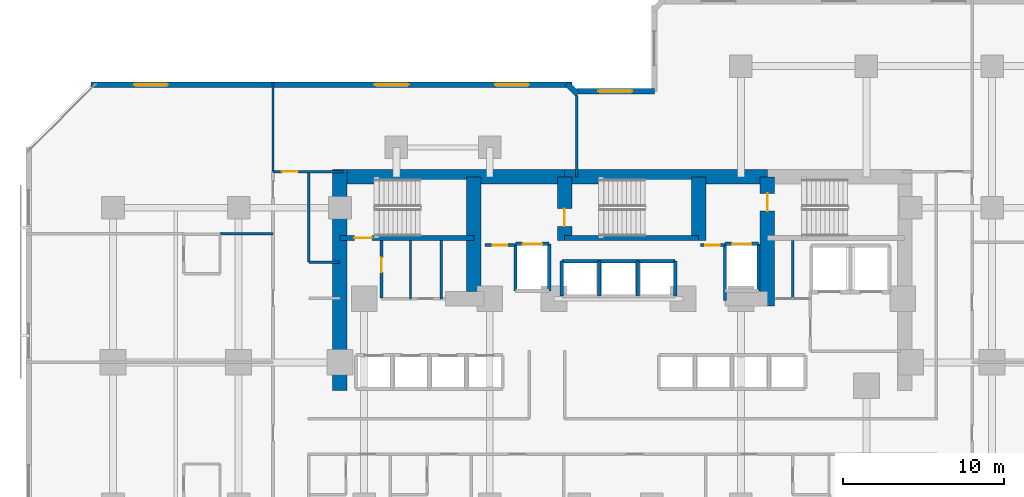
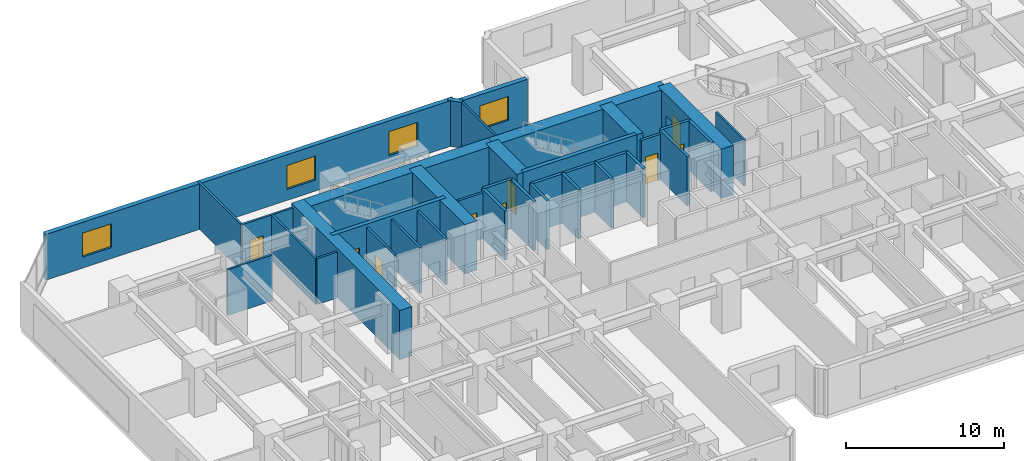
# One storey, part 8 of 12: 37 walls, 9 doors, 4 windows, 13 openings.
"""IFC4 building model written with IfcOpenShell, lengths in metres."""

from ifc_helpers import new_model, si_unit, direction, frame, frame_2d, origin, place, context, subcontext, project, spatial, rectangle, extrude, material, layer, layer_set, type_object, element, fill, save


model = new_model("IFC4")

# Units and contexts
model_context = context("Model", 3, precision=1e-05, world=origin(), true_north=direction((0.0, 1.0)))
body_context = subcontext(model_context, "Body", "Model", "MODEL_VIEW")
ifc_project = project(units=[si_unit("LENGTHUNIT", "METRE"), si_unit("AREAUNIT", "SQUARE_METRE"), si_unit("VOLUMEUNIT", "CUBIC_METRE"), si_unit("PLANEANGLEUNIT", "RADIAN"), si_unit("MASSUNIT", "GRAM", prefix="KILO")], contexts=[model_context])

# Site, building, storey
site_placement = place(None, origin())
site = spatial("IfcSite", under=ifc_project, at=site_placement, CompositionType="ELEMENT")
building_placement = place(site_placement, origin())
building = spatial("IfcBuilding", under=site, at=building_placement, Name="Kestravale Grand Hotel", CompositionType="ELEMENT")
storey_placement = place(building_placement, frame((0.0, 0.0, 56.39990234375)))
storey = spatial("IfcBuildingStorey", under=building, at=storey_placement, Name="L13", CompositionType="ELEMENT", Elevation=56.39990234375)

# Walls
ifc_material_1 = material(Name="Concrete f'c 70 MPa", Category="concrete")
ifc_layer_1 = layer(ifc_material_1, 0.89990234375)
ifc_layer_set_1 = layer_set([ifc_layer_1], Name="EW-CORE-900")
wall_type_1 = type_object("IfcWallType", Name="EW-CORE-900", PredefinedType="SHEAR", material=ifc_layer_set_1)
wall_1_placement = place(storey_placement, frame((21.449951171875, 40.320068359375, 0.0), z_axis=(0.0, 0.0, 1.0), x_axis=(1.0, 0.0, 0.0)))
element("IfcWall", 1, at=wall_1_placement, inside=storey, type_object=wall_type_1, Name="L13 core shear wall N1", PredefinedType="SHEAR", context=body_context, shape_type="SweptSolid", body=[
    extrude(rectangle(XDim=14.400146484375, YDim=0.89990234375, at=frame_2d((7.2001953125, 0.0))), origin(), (0.0, 0.0, 1.0), 3.800048828125),
])
wall_2_placement = place(storey_placement, frame((35.85009765625, 40.320068359375, 0.0), z_axis=(0.0, 0.0, 1.0), x_axis=(1.0, 0.0, 0.0)))
element("IfcWall", 2, at=wall_2_placement, inside=storey, type_object=wall_type_1, Name="L13 core shear wall N2", PredefinedType="SHEAR", context=body_context, shape_type="SweptSolid", body=[
    extrude(rectangle(XDim=12.599853515625, YDim=0.89990234375, at=frame_2d((6.2998046875, 0.0))), origin(), (0.0, 0.0, 1.0), 3.800048828125),
])
wall_3_placement = place(storey_placement, frame((21.89990234375, 27.050048828125, 0.0), z_axis=(0.0, 0.0, 1.0), x_axis=(0.0, 1.0, 0.0)))
element("IfcWall", 3, at=wall_3_placement, inside=storey, type_object=wall_type_1, Name="L13 core shear wall W1", PredefinedType="SHEAR", context=body_context, shape_type="SweptSolid", body=[
    extrude(rectangle(XDim=13.719970703125, YDim=0.89990234375, at=frame_2d((6.85986328125, 0.0))), origin(), (0.0, 0.0, 1.0), 3.800048828125),
])
wall_4_placement = place(storey_placement, frame((30.219970703125, 33.199951171875, 0.0), z_axis=(0.0, 0.0, 1.0), x_axis=(0.0, 1.0, 0.0)))
element("IfcWall", 4, at=wall_4_placement, inside=storey, type_object=wall_type_1, Name="L13 core shear wall X1", PredefinedType="SHEAR", context=body_context, shape_type="SweptSolid", body=[
    extrude(rectangle(XDim=7.1201171875, YDim=0.89990234375, at=frame_2d((3.56005859375, 0.0))), origin(), (0.0, 0.0, 1.0), 3.800048828125),
])

# Wall, opening, door
wall_5_placement = place(storey_placement, frame((35.85009765625, 36.3701171875, 0.0), z_axis=(0.0, 0.0, 1.0), x_axis=(0.0, 1.0, 0.0)))
wall_5 = element("IfcWall", 5, at=wall_5_placement, inside=storey, type_object=wall_type_1, Name="L13 core shear wall X2", PredefinedType="SHEAR", context=body_context, shape_type="SweptSolid", body=[
    extrude(rectangle(XDim=3.949951171875, YDim=0.89990234375, at=frame_2d((1.97509765625, 0.0))), origin(), (0.0, 0.0, 1.0), 3.800048828125),
])
opening_1_placement = place(wall_5_placement, frame((0.8798828125, 0.0, 0.0)))
opening_1 = element("IfcOpeningElement", 6, at=opening_1_placement, cuts=wall_5, Name="Opening D-ST-1100", PredefinedType="OPENING", context=body_context, shape_type="SweptSolid", body=[
    extrude(rectangle(XDim=1.10009765625, YDim=2.14990234375, at=frame_2d((0.550048828125, 1.074951171875))), frame((0.0, 0.4599609375, 0.0), z_axis=(0.0, -1.0, 0.0), x_axis=(1.0, 0.0, 0.0)), (0.0, 0.0, 1.0), 0.919921875),
])
ifc_material_2 = material(Name="Galvanised 90-minute fire-rated steel stair door", Category="steel")
door_type_1 = type_object("IfcDoorType", Name="D-ST-1100", OperationType="NOTDEFINED", PredefinedType="DOOR", material=ifc_material_2)
door_1_placement = place(opening_1_placement, origin())
door_1 = element("IfcDoor", 7, at=door_1_placement, inside=storey, type_object=door_type_1, Name="L13 Stair ST-2 FSAE fire door", OperationType="SINGLE_SWING_RIGHT", OverallHeight=2.14990234375, OverallWidth=1.10009765625, PredefinedType="DOOR", context=body_context, shape_type="SweptSolid", body=[
    extrude(rectangle(XDim=1.10009765625, YDim=2.14990234375, at=frame_2d((0.550048828125, 1.074951171875))), frame((0.0, 0.02490234375, 0.0), z_axis=(0.0, -1.0, 0.0), x_axis=(1.0, 0.0, 0.0)), (0.0, 0.0, 1.0), 0.050048828125),
])
fill(opening_1, door_1)

# Wall
wall_6_placement = place(storey_placement, frame((44.179931640625, 36.3701171875, 0.0), z_axis=(0.0, 0.0, 1.0), x_axis=(0.0, 1.0, 0.0)))
element("IfcWall", 8, at=wall_6_placement, inside=storey, type_object=wall_type_1, Name="L13 core shear wall X3", PredefinedType="SHEAR", context=body_context, shape_type="SweptSolid", body=[
    extrude(rectangle(XDim=3.949951171875, YDim=0.89990234375, at=frame_2d((1.97509765625, 0.0))), origin(), (0.0, 0.0, 1.0), 3.800048828125),
])

# Wall, opening, door
wall_7_placement = place(storey_placement, frame((48.449951171875, 32.300048828125, 0.0), z_axis=(0.0, 0.0, 1.0), x_axis=(0.0, 1.0, 0.0)))
wall_7 = element("IfcWall", 9, at=wall_7_placement, inside=storey, type_object=wall_type_1, Name="L13 core shear wall X4", PredefinedType="SHEAR", context=body_context, shape_type="SweptSolid", body=[
    extrude(rectangle(XDim=8.02001953125, YDim=0.89990234375, at=frame_2d((4.010009765625, 0.0))), origin(), (0.0, 0.0, 1.0), 3.800048828125),
])
opening_2_placement = place(wall_7_placement, frame((5.89990234375, 0.0, 0.0)))
opening_2 = element("IfcOpeningElement", 10, at=opening_2_placement, cuts=wall_7, Name="Opening D-ST-1100", PredefinedType="OPENING", context=body_context, shape_type="SweptSolid", body=[
    extrude(rectangle(XDim=1.10009765625, YDim=2.14990234375, at=frame_2d((0.550048828125, 1.074951171875))), frame((0.0, 0.4599609375, 0.0), z_axis=(0.0, -1.0, 0.0), x_axis=(1.0, 0.0, 0.0)), (0.0, 0.0, 1.0), 0.919921875),
])
door_2_placement = place(opening_2_placement, origin())
door_2 = element("IfcDoor", 11, at=door_2_placement, inside=storey, type_object=door_type_1, Name="L13 Stair ST-3 FSAE fire door", OperationType="SINGLE_SWING_RIGHT", OverallHeight=2.14990234375, OverallWidth=1.10009765625, PredefinedType="DOOR", context=body_context, shape_type="SweptSolid", body=[
    extrude(rectangle(XDim=1.10009765625, YDim=2.14990234375, at=frame_2d((0.550048828125, 1.074951171875))), frame((0.0, 0.02490234375, 0.0), z_axis=(0.0, -1.0, 0.0), x_axis=(1.0, 0.0, 0.0)), (0.0, 0.0, 1.0), 0.050048828125),
])
fill(opening_2, door_2)

# Wall, opening, window
ifc_material_3 = material(Name="Precast concrete f'c 45 MPa", Category="concrete")
ifc_layer_2 = layer(ifc_material_3, 0.340087890625)
ifc_layer_set_2 = layer_set([ifc_layer_2], Name="EW-PREC-340")
wall_type_2 = type_object("IfcWallType", Name="EW-PREC-340", PredefinedType="SOLIDWALL", material=ifc_layer_set_2)
wall_8_placement = place(storey_placement, frame((41.419921875, 45.6298828125, 0.0), z_axis=(0.0, 0.0, 1.0), x_axis=(-1.0, 0.0, 0.0)))
wall_8 = element("IfcWall", 12, at=wall_8_placement, inside=storey, type_object=wall_type_2, Name="L13 fluted precast facade wall 14", PredefinedType="SOLIDWALL", context=body_context, shape_type="SweptSolid", body=[
    extrude(rectangle(XDim=4.83984375, YDim=0.340087890625, at=frame_2d((2.419921875, 0.0))), origin(), (0.0, 0.0, 1.0), 3.5400390625),
])
opening_3_placement = place(wall_8_placement, frame((1.3701171875, 0.0, 0.85009765625)))
opening_3 = element("IfcOpeningElement", 13, at=opening_3_placement, cuts=wall_8, Name="Opening W-GUEST-2100", PredefinedType="OPENING", context=body_context, shape_type="SweptSolid", body=[
    extrude(rectangle(XDim=2.10009765625, YDim=1.85009765625, at=frame_2d((1.050048828125, 0.925048828125))), frame((0.0, 0.179931640625, 0.0), z_axis=(0.0, -1.0, 0.0), x_axis=(1.0, 0.0, 0.0)), (0.0, 0.0, 1.0), 0.360107421875),
])
ifc_material_4 = material(Name="Insulated low-E double glazing in aluminium frame", Category="aluminium")
window_type = type_object("IfcWindowType", Name="W-GUEST-2100", PartitioningType="DOUBLE_PANEL_VERTICAL", PredefinedType="WINDOW", material=ifc_material_4)
window_1_placement = place(opening_3_placement, origin())
window_1 = element("IfcWindow", 14, at=window_1_placement, inside=storey, type_object=window_type, Name="L13 exterior window 14.1", OverallHeight=1.85009765625, OverallWidth=2.10009765625, PartitioningType="SINGLE_PANEL", PredefinedType="WINDOW", context=body_context, shape_type="SweptSolid", body=[
    extrude(rectangle(XDim=2.10009765625, YDim=1.85009765625, at=frame_2d((1.050048828125, 0.925048828125))), frame((0.0, 0.030029296875, 0.0), z_axis=(0.0, -1.0, 0.0), x_axis=(1.0, 0.0, 0.0)), (0.0, 0.0, 1.0), 0.06005859375),
])
fill(opening_3, window_1)

# Wall
wall_9_placement = place(storey_placement, frame((36.658203125, 45.451416015625, 0.0), z_axis=(0.0, 0.0, 1.0), x_axis=(-0.707106781187, 0.707106781187, 0.0)))
element("IfcWall", 15, at=wall_9_placement, inside=storey, type_object=wall_type_2, Name="L13 fluted precast facade wall 16", PredefinedType="SOLIDWALL", context=body_context, shape_type="SweptSolid", body=[
    extrude(rectangle(XDim=0.9287109375, YDim=0.340087890625, at=frame_2d((0.46435546875, 0.0))), origin(), (0.0, 0.0, 1.0), 3.5400390625),
])

# Wall, openings, windows
wall_10_placement = place(storey_placement, frame((36.320068359375, 46.030029296875, 0.0), z_axis=(0.0, 0.0, 1.0), x_axis=(-1.0, 0.0, 0.0)))
wall_10 = element("IfcWall", 16, at=wall_10_placement, inside=storey, type_object=wall_type_2, Name="L13 fluted precast facade wall 17", PredefinedType="SOLIDWALL", context=body_context, shape_type="SweptSolid", body=[
    extrude(rectangle(XDim=29.89013671875, YDim=0.340087890625, at=frame_2d((14.945068359375, 0.0))), origin(), (0.0, 0.0, 1.0), 3.5400390625),
])
opening_4_placement = place(wall_10_placement, frame((2.686279296875, 0.0, 0.85009765625)))
opening_4 = element("IfcOpeningElement", 17, at=opening_4_placement, cuts=wall_10, Name="Opening W-GUEST-2100", PredefinedType="OPENING", context=body_context, shape_type="SweptSolid", body=[
    extrude(rectangle(XDim=2.10009765625, YDim=1.85009765625, at=frame_2d((1.050048828125, 0.925048828125))), frame((0.0, 0.179931640625, 0.0), z_axis=(0.0, -1.0, 0.0), x_axis=(1.0, 0.0, 0.0)), (0.0, 0.0, 1.0), 0.360107421875),
])
opening_5_placement = place(wall_10_placement, frame((10.15869140625, 0.0, 0.85009765625)))
opening_5 = element("IfcOpeningElement", 18, at=opening_5_placement, cuts=wall_10, Name="Opening W-GUEST-2100", PredefinedType="OPENING", context=body_context, shape_type="SweptSolid", body=[
    extrude(rectangle(XDim=2.10009765625, YDim=1.85009765625, at=frame_2d((1.050048828125, 0.925048828125))), frame((0.0, 0.179931640625, 0.0), z_axis=(0.0, -1.0, 0.0), x_axis=(1.0, 0.0, 0.0)), (0.0, 0.0, 1.0), 0.360107421875),
])
opening_6_placement = place(wall_10_placement, frame((25.103759765625, 0.0, 0.85009765625)))
opening_6 = element("IfcOpeningElement", 19, at=opening_6_placement, cuts=wall_10, Name="Opening W-GUEST-2100", PredefinedType="OPENING", context=body_context, shape_type="SweptSolid", body=[
    extrude(rectangle(XDim=2.10009765625, YDim=1.85009765625, at=frame_2d((1.050048828125, 0.925048828125))), frame((0.0, 0.179931640625, 0.0), z_axis=(0.0, -1.0, 0.0), x_axis=(1.0, 0.0, 0.0)), (0.0, 0.0, 1.0), 0.360107421875),
])
window_2_placement = place(opening_4_placement, origin())
window_2 = element("IfcWindow", 20, at=window_2_placement, inside=storey, type_object=window_type, Name="L13 exterior window 17.1", OverallHeight=1.85009765625, OverallWidth=2.10009765625, PartitioningType="SINGLE_PANEL", PredefinedType="WINDOW", context=body_context, shape_type="SweptSolid", body=[
    extrude(rectangle(XDim=2.10009765625, YDim=1.85009765625, at=frame_2d((1.050048828125, 0.925048828125))), frame((0.0, 0.030029296875, 0.0), z_axis=(0.0, -1.0, 0.0), x_axis=(1.0, 0.0, 0.0)), (0.0, 0.0, 1.0), 0.06005859375),
])
fill(opening_4, window_2)
window_3_placement = place(opening_5_placement, origin())
window_3 = element("IfcWindow", 21, at=window_3_placement, inside=storey, type_object=window_type, Name="L13 exterior window 17.2", OverallHeight=1.85009765625, OverallWidth=2.10009765625, PartitioningType="SINGLE_PANEL", PredefinedType="WINDOW", context=body_context, shape_type="SweptSolid", body=[
    extrude(rectangle(XDim=2.10009765625, YDim=1.85009765625, at=frame_2d((1.050048828125, 0.925048828125))), frame((0.0, 0.030029296875, 0.0), z_axis=(0.0, -1.0, 0.0), x_axis=(1.0, 0.0, 0.0)), (0.0, 0.0, 1.0), 0.06005859375),
])
fill(opening_5, window_3)
window_4_placement = place(opening_6_placement, origin())
window_4 = element("IfcWindow", 22, at=window_4_placement, inside=storey, type_object=window_type, Name="L13 exterior window 17.3", OverallHeight=1.85009765625, OverallWidth=2.10009765625, PartitioningType="SINGLE_PANEL", PredefinedType="WINDOW", context=body_context, shape_type="SweptSolid", body=[
    extrude(rectangle(XDim=2.10009765625, YDim=1.85009765625, at=frame_2d((1.050048828125, 0.925048828125))), frame((0.0, 0.030029296875, 0.0), z_axis=(0.0, -1.0, 0.0), x_axis=(1.0, 0.0, 0.0)), (0.0, 0.0, 1.0), 0.06005859375),
])
fill(opening_6, window_4)

# Wall, opening, door
ifc_material_5 = material(Name="Concrete f'c 45 MPa", Category="concrete")
ifc_layer_3 = layer(ifc_material_5, 0.300048828125)
ifc_layer_set_3 = layer_set([ifc_layer_3], Name="EW-STAIR-300")
wall_type_3 = type_object("IfcWallType", Name="EW-STAIR-300", PredefinedType="SHEAR", material=ifc_layer_set_3)
wall_11_placement = place(storey_placement, frame((21.89990234375, 36.52001953125, 0.0), z_axis=(0.0, 0.0, 1.0), x_axis=(1.0, 0.0, 0.0)))
wall_11 = element("IfcWall", 23, at=wall_11_placement, inside=storey, type_object=wall_type_3, Name="L13 stair enclosure shear wall SST1", PredefinedType="SHEAR", context=body_context, shape_type="SweptSolid", body=[
    extrude(rectangle(XDim=8.320068359375, YDim=0.300048828125, at=frame_2d((4.16015625, 0.0))), origin(), (0.0, 0.0, 1.0), 3.800048828125),
])
opening_7_placement = place(wall_11_placement, frame((0.89990234375, 0.0, 0.0)))
opening_7 = element("IfcOpeningElement", 24, at=opening_7_placement, cuts=wall_11, Name="Opening D-ST-1100", PredefinedType="OPENING", context=body_context, shape_type="SweptSolid", body=[
    extrude(rectangle(XDim=1.10009765625, YDim=2.14990234375, at=frame_2d((0.550048828125, 1.074951171875))), frame((0.0, 0.159912109375, 0.0), z_axis=(0.0, -1.0, 0.0), x_axis=(1.0, 0.0, 0.0)), (0.0, 0.0, 1.0), 0.320068359375),
])
door_3_placement = place(opening_7_placement, origin())
door_3 = element("IfcDoor", 25, at=door_3_placement, inside=storey, type_object=door_type_1, Name="L13 Stair ST-1 fire door", OperationType="SINGLE_SWING_RIGHT", OverallHeight=2.14990234375, OverallWidth=1.10009765625, PredefinedType="DOOR", context=body_context, shape_type="SweptSolid", body=[
    extrude(rectangle(XDim=1.10009765625, YDim=2.14990234375, at=frame_2d((0.550048828125, 1.074951171875))), frame((0.0, 0.02490234375, 0.0), z_axis=(0.0, -1.0, 0.0), x_axis=(1.0, 0.0, 0.0)), (0.0, 0.0, 1.0), 0.050048828125),
])
fill(opening_7, door_3)

# Wall
wall_12_placement = place(storey_placement, frame((35.85009765625, 36.52001953125, 0.0), z_axis=(0.0, 0.0, 1.0), x_axis=(1.0, 0.0, 0.0)))
element("IfcWall", 26, at=wall_12_placement, inside=storey, type_object=wall_type_3, Name="L13 stair enclosure shear wall SST2", PredefinedType="SHEAR", context=body_context, shape_type="SweptSolid", body=[
    extrude(rectangle(XDim=8.329833984375, YDim=0.300048828125, at=frame_2d((4.1650390625, 0.0))), origin(), (0.0, 0.0, 1.0), 3.800048828125),
])

# Wall, opening, door
ifc_material_6 = material(Name="Acoustic fire-rated gypsum board partition", Category="other")
ifc_layer_4 = layer(ifc_material_6, 0.159912109375)
ifc_layer_set_4 = layer_set([ifc_layer_4], Name="IW-CORR-160")
wall_type_4 = type_object("IfcWallType", Name="IW-CORR-160", PredefinedType="PARTITIONING", material=ifc_layer_set_4)
wall_13_placement = place(storey_placement, frame((24.47998046875, 32.800048828125, 0.0), z_axis=(0.0, 0.0, 1.0), x_axis=(0.0, 1.0, 0.0)))
wall_13 = element("IfcWall", 27, at=wall_13_placement, inside=storey, type_object=wall_type_4, Name="L13 west core vestibule wall", PredefinedType="PARTITIONING", context=body_context, shape_type="SweptSolid", body=[
    extrude(rectangle(XDim=3.570068359375, YDim=0.159912109375, at=frame_2d((1.78515625, 0.0))), origin(), (0.0, 0.0, 1.0), 3.5400390625),
])
opening_8_placement = place(wall_13_placement, frame((1.603515625, 0.0, 0.0)))
opening_8 = element("IfcOpeningElement", 28, at=opening_8_placement, cuts=wall_13, Name="Opening D-SH-900", PredefinedType="OPENING", context=body_context, shape_type="SweptSolid", body=[
    extrude(rectangle(XDim=0.89990234375, YDim=2.10009765625, at=frame_2d((0.449951171875, 1.050048828125))), frame((0.0, 0.08984375, 0.0), z_axis=(0.0, -1.0, 0.0), x_axis=(1.0, 0.0, 0.0)), (0.0, 0.0, 1.0), 0.179931640625),
])
ifc_material_7 = material(Name="Galvanised 90-minute shaft and service fire door", Category="steel")
door_type_2 = type_object("IfcDoorType", Name="D-SH-900", OperationType="NOTDEFINED", PredefinedType="DOOR", material=ifc_material_7)
door_4_placement = place(opening_8_placement, origin())
door_4 = element("IfcDoor", 29, at=door_4_placement, inside=storey, type_object=door_type_2, Name="D-L13-HK", OperationType="SINGLE_SWING_RIGHT", OverallHeight=2.10009765625, OverallWidth=0.89990234375, PredefinedType="DOOR", context=body_context, shape_type="SweptSolid", body=[
    extrude(rectangle(XDim=0.89990234375, YDim=2.10009765625, at=frame_2d((0.449951171875, 1.050048828125))), frame((0.0, 0.02490234375, 0.0), z_axis=(0.0, -1.0, 0.0), x_axis=(1.0, 0.0, 0.0)), (0.0, 0.0, 1.0), 0.050048828125),
])
fill(opening_8, door_4)

# Walls
wall_14_placement = place(storey_placement, frame((19.9599609375, 35.02001953125, 0.0), z_axis=(0.0, 0.0, 1.0), x_axis=(0.0, 1.0, 0.0)))
element("IfcWall", 30, at=wall_14_placement, inside=storey, type_object=wall_type_4, Name="W-L13-SW-EN", PredefinedType="PARTITIONING", context=body_context, shape_type="SweptSolid", body=[
    extrude(rectangle(XDim=5.6298828125, YDim=0.159912109375, at=frame_2d((2.81494140625, 0.0))), origin(), (0.0, 0.0, 1.0), 3.5400390625),
])
wall_15_placement = place(storey_placement, frame((19.9599609375, 35.02001953125, 0.0), z_axis=(0.0, 0.0, 1.0), x_axis=(1.0, 0.0, 0.0)))
element("IfcWall", 31, at=wall_15_placement, inside=storey, type_object=wall_type_4, Name="W-L13-SW-CN", PredefinedType="PARTITIONING", context=body_context, shape_type="SweptSolid", body=[
    extrude(rectangle(XDim=1.93994140625, YDim=0.159912109375, at=frame_2d((0.969970703125, 0.0))), origin(), (0.0, 0.0, 1.0), 3.5400390625),
])

# Wall, opening, door
ifc_material_8 = material(Name="Fire-rated gypsum board on steel studs with mineral wool", Category="steel")
ifc_layer_5 = layer(ifc_material_8, 0.179931640625)
ifc_layer_set_5 = layer_set([ifc_layer_5], Name="IW-FSAE-180")
wall_type_5 = type_object("IfcWallType", Name="IW-FSAE-180", PredefinedType="PARTITIONING", material=ifc_layer_set_5)
wall_16_placement = place(storey_placement, frame((30.89990234375, 36.080078125, 0.0), z_axis=(0.0, 0.0, 1.0), x_axis=(1.0, 0.0, 0.0)))
wall_16 = element("IfcWall", 32, at=wall_16_placement, inside=storey, type_object=wall_type_5, Name="L13 FSAE Lobby 1 smoke barrier", PredefinedType="PARTITIONING", context=body_context, shape_type="SweptSolid", body=[
    extrude(rectangle(XDim=1.85009765625, YDim=0.179931640625, at=frame_2d((0.925048828125, 0.0))), origin(), (0.0, 0.0, 1.0), 3.5400390625),
])
opening_9_placement = place(wall_16_placement, frame((0.47998046875, 0.0, 0.0)))
opening_9 = element("IfcOpeningElement", 33, at=opening_9_placement, cuts=wall_16, Name="Opening D-FSAE-1000", PredefinedType="OPENING", context=body_context, shape_type="SweptSolid", body=[
    extrude(rectangle(XDim=0.89990234375, YDim=2.14990234375, at=frame_2d((0.449951171875, 1.074951171875))), frame((0.0, 0.099853515625, 0.0), z_axis=(0.0, -1.0, 0.0), x_axis=(1.0, 0.0, 0.0)), (0.0, 0.0, 1.0), 0.199951171875),
])
ifc_material_9 = material(Name="Smoke-gasketed FSAE lobby fire door", Category="steel")
door_type_3 = type_object("IfcDoorType", Name="D-FSAE-1000", OperationType="NOTDEFINED", PredefinedType="DOOR", material=ifc_material_9)
door_5_placement = place(opening_9_placement, origin())
door_5 = element("IfcDoor", 34, at=door_5_placement, inside=storey, type_object=door_type_3, Name="L13 FSAE Lobby 1 fire door", OperationType="SINGLE_SWING_RIGHT", OverallHeight=2.14990234375, OverallWidth=0.89990234375, PredefinedType="DOOR", context=body_context, shape_type="SweptSolid", body=[
    extrude(rectangle(XDim=0.89990234375, YDim=2.14990234375, at=frame_2d((0.449951171875, 1.074951171875))), frame((0.0, 0.02490234375, 0.0), z_axis=(0.0, -1.0, 0.0), x_axis=(1.0, 0.0, 0.0)), (0.0, 0.0, 1.0), 0.050048828125),
])
fill(opening_9, door_5)

wall_17_placement = place(storey_placement, frame((44.300048828125, 36.080078125, 0.0), z_axis=(0.0, 0.0, 1.0), x_axis=(1.0, 0.0, 0.0)))
wall_17 = element("IfcWall", 35, at=wall_17_placement, inside=storey, type_object=wall_type_5, Name="L13 FSAE Lobby 2 smoke barrier", PredefinedType="PARTITIONING", context=body_context, shape_type="SweptSolid", body=[
    extrude(rectangle(XDim=1.5, YDim=0.179931640625, at=frame_2d((0.75, 0.0))), origin(), (0.0, 0.0, 1.0), 3.5400390625),
])
opening_10_placement = place(wall_17_placement, frame((0.300048828125, 0.0, 0.0)))
opening_10 = element("IfcOpeningElement", 36, at=opening_10_placement, cuts=wall_17, Name="Opening D-FSAE-1000", PredefinedType="OPENING", context=body_context, shape_type="SweptSolid", body=[
    extrude(rectangle(XDim=0.89990234375, YDim=2.14990234375, at=frame_2d((0.449951171875, 1.074951171875))), frame((0.0, 0.099853515625, 0.0), z_axis=(0.0, -1.0, 0.0), x_axis=(1.0, 0.0, 0.0)), (0.0, 0.0, 1.0), 0.199951171875),
])
door_6_placement = place(opening_10_placement, origin())
door_6 = element("IfcDoor", 37, at=door_6_placement, inside=storey, type_object=door_type_3, Name="L13 FSAE Lobby 2 fire door", OperationType="SINGLE_SWING_LEFT", OverallHeight=2.14990234375, OverallWidth=0.89990234375, PredefinedType="DOOR", context=body_context, shape_type="SweptSolid", body=[
    extrude(rectangle(XDim=0.89990234375, YDim=2.14990234375, at=frame_2d((0.449951171875, 1.074951171875))), frame((0.0, 0.02490234375, 0.0), z_axis=(0.0, -1.0, 0.0), x_axis=(1.0, 0.0, 0.0)), (0.0, 0.0, 1.0), 0.050048828125),
])
fill(opening_10, door_6)

# Walls
ifc_material_10 = material(Name="Concrete f'c 45 MPa", Category="concrete")
ifc_layer_6 = layer(ifc_material_10, 0.199951171875)
ifc_layer_set_6 = layer_set([ifc_layer_6], Name="IW-SHAFT-200")
wall_type_6 = type_object("IfcWallType", Name="IW-SHAFT-200", PredefinedType="SHEAR", material=ifc_layer_set_6)
for number, where, z_axis, x_axis, name in (
    (38, (35.679931640625, 32.919921875, 0.0), (0.0, 0.0, 1.0), (0.0, 1.0, 0.0), "L13 PL-X1 west shaft wall"),
    (39, (38.0, 32.919921875, 0.0), (0.0, 0.0, 1.0), (0.0, 1.0, 0.0), "L13 PL-X2 west shaft wall"),
    (40, (40.39990234375, 32.919921875, 0.0), (0.0, 0.0, 1.0), (0.0, 1.0, 0.0), "L13 PL-X3 west shaft wall"),
    (41, (42.719970703125, 32.919921875, 0.0), (0.0, 0.0, 1.0), (0.0, 1.0, 0.0), "L13 PL-X3 east shaft wall"),
):
    element("IfcWall", number, at=place(storey_placement, frame(where, z_axis=z_axis, x_axis=x_axis)), inside=storey, type_object=wall_type_6, Name=name, PredefinedType="SHEAR", context=body_context, shape_type="SweptSolid", body=[
        extrude(rectangle(XDim=2.16015625, YDim=0.199951171875, at=frame_2d((1.080078125, 0.0))), origin(), (0.0, 0.0, 1.0), 3.800048828125),
    ])
for number, where, z_axis, x_axis, name in (
    (42, (32.804931640625, 33.2451171875, 0.0), (0.0, 0.0, 1.0), (0.0, 1.0, 0.0), "L13 FL-1 west shaft wall"),
    (43, (34.89501953125, 33.2451171875, 0.0), (0.0, 0.0, 1.0), (0.0, 1.0, 0.0), "L13 FL-1 east shaft wall"),
):
    element("IfcWall", number, at=place(storey_placement, frame(where, z_axis=z_axis, x_axis=x_axis)), inside=storey, type_object=wall_type_6, Name=name, PredefinedType="SHEAR", context=body_context, shape_type="SweptSolid", body=[
        extrude(rectangle(XDim=2.909912109375, YDim=0.199951171875, at=frame_2d((1.455078125, 0.0))), origin(), (0.0, 0.0, 1.0), 3.800048828125),
    ])
wall_18_placement = place(storey_placement, frame((45.804931640625, 32.64990234375, 0.0), z_axis=(0.0, 0.0, 1.0), x_axis=(0.0, 1.0, 0.0)))
element("IfcWall", 44, at=wall_18_placement, inside=storey, type_object=wall_type_6, Name="L13 FL-2 west shaft wall", PredefinedType="SHEAR", context=body_context, shape_type="SweptSolid", body=[
    extrude(rectangle(XDim=3.505126953125, YDim=0.199951171875, at=frame_2d((1.75244140625, 0.0))), origin(), (0.0, 0.0, 1.0), 3.800048828125),
])
wall_19_placement = place(storey_placement, frame((47.89501953125, 33.2451171875, 0.0), z_axis=(0.0, 0.0, 1.0), x_axis=(0.0, 1.0, 0.0)))
element("IfcWall", 45, at=wall_19_placement, inside=storey, type_object=wall_type_6, Name="L13 FL-2 east shaft wall", PredefinedType="SHEAR", context=body_context, shape_type="SweptSolid", body=[
    extrude(rectangle(XDim=2.909912109375, YDim=0.199951171875, at=frame_2d((1.455078125, 0.0))), origin(), (0.0, 0.0, 1.0), 3.800048828125),
])
ifc_material_11 = material(Name="Concrete f'c 45 MPa", Category="concrete")
ifc_layer_7 = layer(ifc_material_11, 0.219970703125)
ifc_layer_set_7 = layer_set([ifc_layer_7], Name="IW-SHAFT-220")
wall_type_7 = type_object("IfcWallType", Name="IW-SHAFT-220", PredefinedType="SHEAR", material=ifc_layer_set_7)
wall_20_placement = place(storey_placement, frame((35.679931640625, 35.080078125, 0.0), z_axis=(0.0, 0.0, 1.0), x_axis=(1.0, 0.0, 0.0)))
element("IfcWall", 46, at=wall_20_placement, inside=storey, type_object=wall_type_7, Name="L13 PL-X1 north shaft wall", PredefinedType="SHEAR", context=body_context, shape_type="SweptSolid", body=[
    extrude(rectangle(XDim=2.320068359375, YDim=0.219970703125, at=frame_2d((1.16015625, 0.0))), origin(), (0.0, 0.0, 1.0), 3.800048828125),
])
wall_21_placement = place(storey_placement, frame((38.0, 35.080078125, 0.0), z_axis=(0.0, 0.0, 1.0), x_axis=(1.0, 0.0, 0.0)))
element("IfcWall", 47, at=wall_21_placement, inside=storey, type_object=wall_type_7, Name="L13 PL-X2 north shaft wall", PredefinedType="SHEAR", context=body_context, shape_type="SweptSolid", body=[
    extrude(rectangle(XDim=2.39990234375, YDim=0.219970703125, at=frame_2d((1.199951171875, 0.0))), origin(), (0.0, 0.0, 1.0), 3.800048828125),
])
wall_22_placement = place(storey_placement, frame((40.39990234375, 35.080078125, 0.0), z_axis=(0.0, 0.0, 1.0), x_axis=(1.0, 0.0, 0.0)))
element("IfcWall", 48, at=wall_22_placement, inside=storey, type_object=wall_type_7, Name="L13 PL-X3 north shaft wall", PredefinedType="SHEAR", context=body_context, shape_type="SweptSolid", body=[
    extrude(rectangle(XDim=2.320068359375, YDim=0.219970703125, at=frame_2d((1.16015625, 0.0))), origin(), (0.0, 0.0, 1.0), 3.800048828125),
])

# Wall, opening, door
wall_23_placement = place(storey_placement, frame((32.804931640625, 36.155029296875, 0.0), z_axis=(0.0, 0.0, 1.0), x_axis=(1.0, 0.0, 0.0)))
wall_23 = element("IfcWall", 49, at=wall_23_placement, inside=storey, type_object=wall_type_7, Name="L13 FL-1 north shaft wall", PredefinedType="SHEAR", context=body_context, shape_type="SweptSolid", body=[
    extrude(rectangle(XDim=2.090087890625, YDim=0.219970703125, at=frame_2d((1.044921875, 0.0))), origin(), (0.0, 0.0, 1.0), 3.800048828125),
])
opening_11_placement = place(wall_23_placement, frame((0.445068359375, 0.0, 0.0)))
opening_11 = element("IfcOpeningElement", 50, at=opening_11_placement, cuts=wall_23, Name="Opening LD-FSAE-1200", PredefinedType="OPENING", context=body_context, shape_type="SweptSolid", body=[
    extrude(rectangle(XDim=1.199951171875, YDim=2.14990234375, at=frame_2d((0.60009765625, 1.074951171875))), frame((0.0, 0.119873046875, 0.0), z_axis=(0.0, -1.0, 0.0), x_axis=(1.0, 0.0, 0.0)), (0.0, 0.0, 1.0), 0.239990234375),
])
ifc_material_12 = material(Name="Stainless fire-service sliding elevator landing door", Category="steel")
door_type_4 = type_object("IfcDoorType", Name="LD-FSAE-1200", OperationType="NOTDEFINED", PredefinedType="DOOR", material=ifc_material_12)
door_7_placement = place(opening_11_placement, origin())
door_7 = element("IfcDoor", 51, at=door_7_placement, inside=storey, type_object=door_type_4, Name="L13 FL-1 elevator landing sliding door", OperationType="DOUBLE_DOOR_SLIDING", OverallHeight=2.14990234375, OverallWidth=1.199951171875, PredefinedType="DOOR", context=body_context, shape_type="SweptSolid", body=[
    extrude(rectangle(XDim=1.199951171875, YDim=2.14990234375, at=frame_2d((0.60009765625, 1.074951171875))), frame((0.0, 0.02490234375, 0.0), z_axis=(0.0, -1.0, 0.0), x_axis=(1.0, 0.0, 0.0)), (0.0, 0.0, 1.0), 0.050048828125),
])
fill(opening_11, door_7)

wall_24_placement = place(storey_placement, frame((45.804931640625, 36.155029296875, 0.0), z_axis=(0.0, 0.0, 1.0), x_axis=(1.0, 0.0, 0.0)))
wall_24 = element("IfcWall", 52, at=wall_24_placement, inside=storey, type_object=wall_type_7, Name="L13 FL-2 north shaft wall", PredefinedType="SHEAR", context=body_context, shape_type="SweptSolid", body=[
    extrude(rectangle(XDim=2.090087890625, YDim=0.219970703125, at=frame_2d((1.044921875, 0.0))), origin(), (0.0, 0.0, 1.0), 3.800048828125),
])
opening_12_placement = place(wall_24_placement, frame((0.445068359375, 0.0, 0.0)))
opening_12 = element("IfcOpeningElement", 53, at=opening_12_placement, cuts=wall_24, Name="Opening LD-FSAE-1200", PredefinedType="OPENING", context=body_context, shape_type="SweptSolid", body=[
    extrude(rectangle(XDim=1.199951171875, YDim=2.14990234375, at=frame_2d((0.60009765625, 1.074951171875))), frame((0.0, 0.119873046875, 0.0), z_axis=(0.0, -1.0, 0.0), x_axis=(1.0, 0.0, 0.0)), (0.0, 0.0, 1.0), 0.239990234375),
])
door_8_placement = place(opening_12_placement, origin())
door_8 = element("IfcDoor", 54, at=door_8_placement, inside=storey, type_object=door_type_4, Name="L13 FL-2 elevator landing sliding door", OperationType="DOUBLE_DOOR_SLIDING", OverallHeight=2.14990234375, OverallWidth=1.199951171875, PredefinedType="DOOR", context=body_context, shape_type="SweptSolid", body=[
    extrude(rectangle(XDim=1.199951171875, YDim=2.14990234375, at=frame_2d((0.60009765625, 1.074951171875))), frame((0.0, 0.02490234375, 0.0), z_axis=(0.0, -1.0, 0.0), x_axis=(1.0, 0.0, 0.0)), (0.0, 0.0, 1.0), 0.050048828125),
])
fill(opening_12, door_8)

# Walls
ifc_material_13 = material(Name="Double-stud STC 52 acoustic demising partition", Category="other")
ifc_layer_8 = layer(ifc_material_13, 0.14990234375)
ifc_layer_set_8 = layer_set([ifc_layer_8], Name="IW-UNIT-150")
wall_type_8 = type_object("IfcWallType", Name="IW-UNIT-150", PredefinedType="PARTITIONING", material=ifc_layer_set_8)
for number, where, z_axis, x_axis, name in (
    (55, (26.280029296875, 32.75, 0.0), (0.0, 0.0, 1.0), (0.0, 1.0, 0.0), "W-L13-CC1-1"),
    (56, (28.179931640625, 32.75, 0.0), (0.0, 0.0, 1.0), (0.0, 1.0, 0.0), "W-L13-CC1-2"),
    (57, (50.010009765625, 32.75, 0.0), (0.0, 0.0, 1.0), (0.0, 1.0, 0.0), "W-L13-CC1-EM"),
):
    element("IfcWall", number, at=place(storey_placement, frame(where, z_axis=z_axis, x_axis=x_axis)), inside=storey, type_object=wall_type_8, Name=name, PredefinedType="PARTITIONING", context=body_context, shape_type="SweptSolid", body=[
        extrude(rectangle(XDim=3.6201171875, YDim=0.14990234375, at=frame_2d((1.81005859375, 0.0))), origin(), (0.0, 0.0, 1.0), 3.5400390625),
    ])

# Wall, opening, door
wall_25_placement = place(storey_placement, frame((17.739990234375, 40.64990234375, 0.0), z_axis=(0.0, 0.0, 1.0), x_axis=(1.0, 0.0, 0.0)))
wall_25 = element("IfcWall", 58, at=wall_25_placement, inside=storey, type_object=wall_type_8, Name="W-L13-SW-N", PredefinedType="PARTITIONING", context=body_context, shape_type="SweptSolid", body=[
    extrude(rectangle(XDim=4.360107421875, YDim=0.14990234375, at=frame_2d((2.18017578125, 0.0))), origin(), (0.0, 0.0, 1.0), 3.5400390625),
])
opening_13_placement = place(wall_25_placement, frame((0.550048828125, 0.0, 0.0)))
opening_13 = element("IfcOpeningElement", 59, at=opening_13_placement, cuts=wall_25, Name="Opening D-GUEST-1000", PredefinedType="OPENING", context=body_context, shape_type="SweptSolid", body=[
    extrude(rectangle(XDim=1.0, YDim=2.14990234375, at=frame_2d((0.5, 1.074951171875))), frame((0.0, 0.0849609375, 0.0), z_axis=(0.0, -1.0, 0.0), x_axis=(1.0, 0.0, 0.0)), (0.0, 0.0, 1.0), 0.169921875),
])
ifc_material_14 = material(Name="Accessible walnut veneer hotel entrance fire door", Category="wood")
door_type_5 = type_object("IfcDoorType", Name="D-GUEST-1000", OperationType="NOTDEFINED", PredefinedType="DOOR", material=ifc_material_14)
door_9_placement = place(opening_13_placement, origin())
door_9 = element("IfcDoor", 60, at=door_9_placement, inside=storey, type_object=door_type_5, Name="L13 NW Gallery Door", OperationType="SINGLE_SWING_RIGHT", OverallHeight=2.14990234375, OverallWidth=1.0, PredefinedType="DOOR", context=body_context, shape_type="SweptSolid", body=[
    extrude(rectangle(XDim=1.0, YDim=2.14990234375, at=frame_2d((0.5, 1.074951171875))), frame((0.0, 0.02490234375, 0.0), z_axis=(0.0, -1.0, 0.0), x_axis=(1.0, 0.0, 0.0)), (0.0, 0.0, 1.0), 0.050048828125),
])
fill(opening_13, door_9)

# Walls
wall_26_placement = place(storey_placement, frame((17.739990234375, 40.64990234375, 0.0), z_axis=(0.0, 0.0, 1.0), x_axis=(0.0, 1.0, 0.0)))
element("IfcWall", 61, at=wall_26_placement, inside=storey, type_object=wall_type_8, Name="W-L13-NGW-W", PredefinedType="PARTITIONING", context=body_context, shape_type="SweptSolid", body=[
    extrude(rectangle(XDim=5.530029296875, YDim=0.14990234375, at=frame_2d((2.76513671875, 0.0))), origin(), (0.0, 0.0, 1.0), 3.5400390625),
])
wall_27_placement = place(storey_placement, frame((36.60009765625, 40.320068359375, 0.0), z_axis=(0.0, 0.0, 1.0), x_axis=(0.0, 1.0, 0.0)))
element("IfcWall", 62, at=wall_27_placement, inside=storey, type_object=wall_type_8, Name="W-L13-NGM", PredefinedType="PARTITIONING", context=body_context, shape_type="SweptSolid", body=[
    extrude(rectangle(XDim=5.044921875, YDim=0.14990234375, at=frame_2d((2.5224609375, 0.0))), origin(), (0.0, 0.0, 1.0), 3.5400390625),
])
wall_28_placement = place(storey_placement, frame((14.449951171875, 36.800048828125, 0.0), z_axis=(0.0, 0.0, 1.0), x_axis=(1.0, 0.0, 0.0)))
element("IfcWall", 63, at=wall_28_placement, inside=storey, type_object=wall_type_8, Name="W-L13-WW-4", PredefinedType="PARTITIONING", context=body_context, shape_type="SweptSolid", body=[
    extrude(rectangle(XDim=3.2900390625, YDim=0.14990234375, at=frame_2d((1.64501953125, 0.0))), origin(), (0.0, 0.0, 1.0), 3.5400390625),
])

save(model, "model.ifc")
